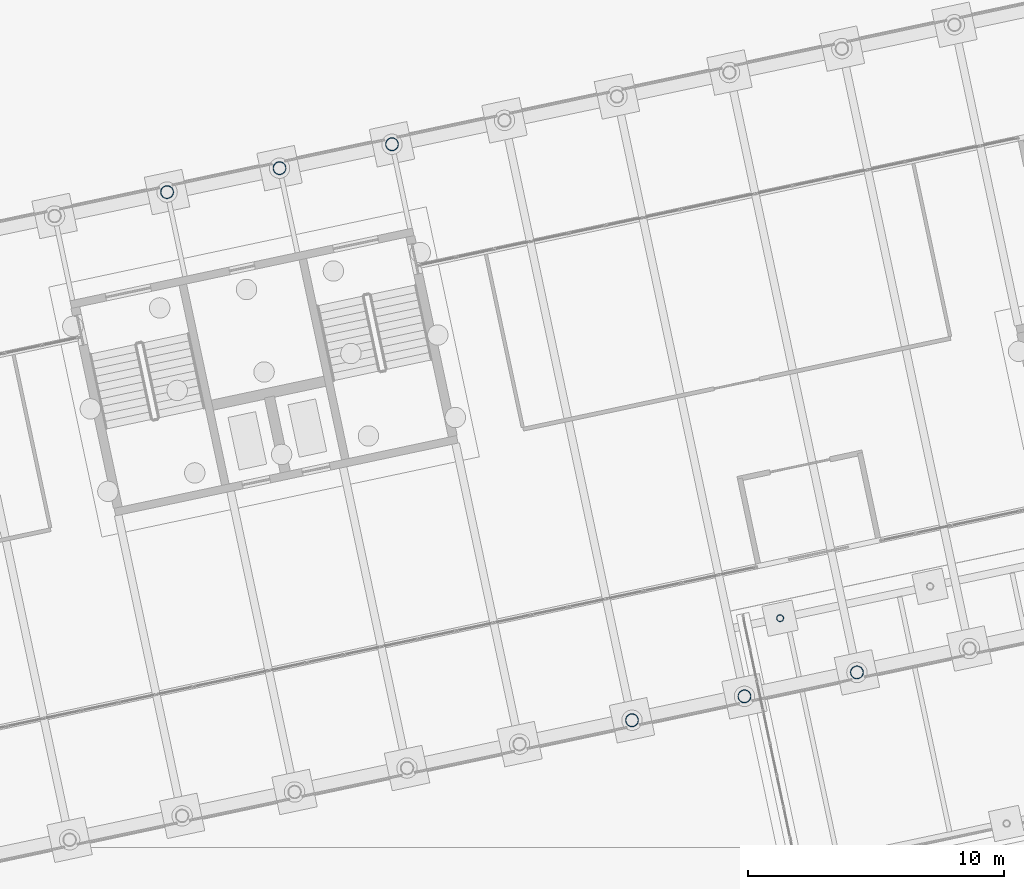
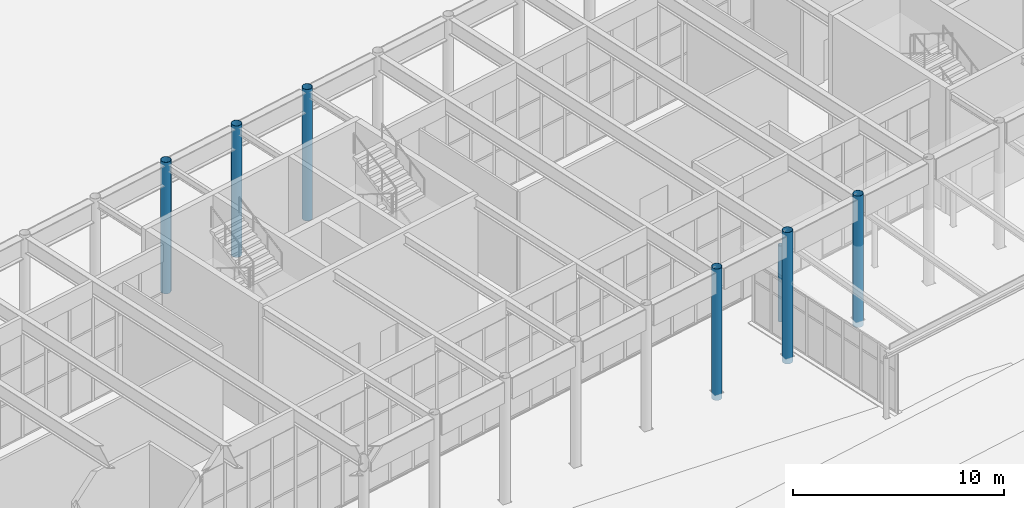
# One storey, part 15 of 239: 7 columns.
"""IFC4 building model written with IfcOpenShell, lengths in metres."""

from ifc_helpers import new_model, si_unit, direction, frame, origin, origin_2d, place, context, subcontext, project, spatial, hollow_circle, extrude, material, material_profile, profile_set, type_object, element, save


model = new_model("IFC4")

# Units and contexts
model_context = context("Model", 3, precision=1e-05, world=origin(), true_north=direction((0.0, 1.0)))
body_context = subcontext(model_context, "Body", "Model", "MODEL_VIEW")
ifc_project = project(units=[si_unit("LENGTHUNIT", "METRE"), si_unit("AREAUNIT", "SQUARE_METRE"), si_unit("VOLUMEUNIT", "CUBIC_METRE"), si_unit("PLANEANGLEUNIT", "RADIAN"), si_unit("MASSUNIT", "GRAM", prefix="KILO")], contexts=[model_context])

# Site, building, storey
site_placement = place(None, origin())
site = spatial("IfcSite", under=ifc_project, at=site_placement, CompositionType="ELEMENT")
building_placement = place(site_placement, origin())
building = spatial("IfcBuilding", under=site, at=building_placement, Name="Okhra Congress Centre", CompositionType="ELEMENT")
storey_placement = place(building_placement, origin())
storey = spatial("IfcBuildingStorey", under=building, at=storey_placement, Name="L00", CompositionType="ELEMENT", Elevation=0.0)

# Columns
ifc_material = material(Name="Steel S355J2H", Category="steel")
ifc_material_profile_1 = material_profile(ifc_material, hollow_circle(Radius=0.136474609375, WallThickness=0.012451171875, at=origin_2d()), Name="CHS 273x12.5")
ifc_profile_set_1 = profile_set([ifc_material_profile_1], Name="Steel S355J2H")
column_type_1 = type_object("IfcColumnType", Name="Porch column CHS 273x12.5", PredefinedType="COLUMN", material=ifc_profile_set_1)
column_placement = place(storey_placement, frame((124.029296875, 42.964599609375, -0.39990234375), z_axis=(0.0, 0.0, 1.0), x_axis=(0.978147600734, 0.207911690818, 0.0)))
element("IfcColumn", 1, at=column_placement, inside=storey, type_object=column_type_1, Name="Porch column N1", PredefinedType="COLUMN", context=body_context, shape_type="SweptSolid", body=[
    extrude(hollow_circle(Radius=0.136474609375, WallThickness=0.012451171875, at=origin_2d()), origin(), (0.0, 0.0, 1.0), 4.38916015625),
])
ifc_material_profile_2 = material_profile(ifc_material, hollow_circle(Radius=0.25390625, WallThickness=0.01611328125, at=origin_2d()), Name="CHS 508x16")
ifc_profile_set_2 = profile_set([ifc_material_profile_2], Name="Steel S355J2H")
column_type_2 = type_object("IfcColumnType", Name="Round steel column CHS 508x16", PredefinedType="COLUMN", material=ifc_profile_set_2)
for number, where, z_axis, x_axis, name in (
    (2, (100.037841796875, 59.640869140625, -0.39990234375), (0.0, 0.0, 1.0), (0.978147600734, 0.207911690818, 0.0), "Round column 7N"),
    (3, (104.439453125, 60.576416015625, -0.39990234375), (0.0, 0.0, 1.0), (0.978147600734, 0.207911690818, 0.0), "Round column 8N"),
    (4, (108.841064453125, 61.511962890625, -0.39990234375), (0.0, 0.0, 1.0), (0.978147600734, 0.207911690818, 0.0), "Round column 9N"),
    (5, (118.232666015625, 38.97216796875, -0.39990234375), (0.0, 0.0, 1.0), (0.978147600734, 0.207911690818, 0.0), "Round column 10S"),
    (6, (122.63427734375, 39.90771484375, -0.39990234375), (0.0, 0.0, 1.0), (0.978147600734, 0.207911690818, 0.0), "Round column 11S"),
    (7, (127.035888671875, 40.84326171875, -0.39990234375), (0.0, 0.0, 1.0), (0.978147600734, 0.207911690818, 0.0), "Round column 12S"),
):
    element("IfcColumn", number, at=place(storey_placement, frame(where, z_axis=z_axis, x_axis=x_axis)), inside=storey, type_object=column_type_2, Name=name, PredefinedType="COLUMN", context=body_context, shape_type="SweptSolid", body=[
        extrude(hollow_circle(Radius=0.25390625, WallThickness=0.01611328125, at=origin_2d()), origin(), (0.0, 0.0, 1.0), 7.599853515625),
    ])

save(model, "model.ifc")
